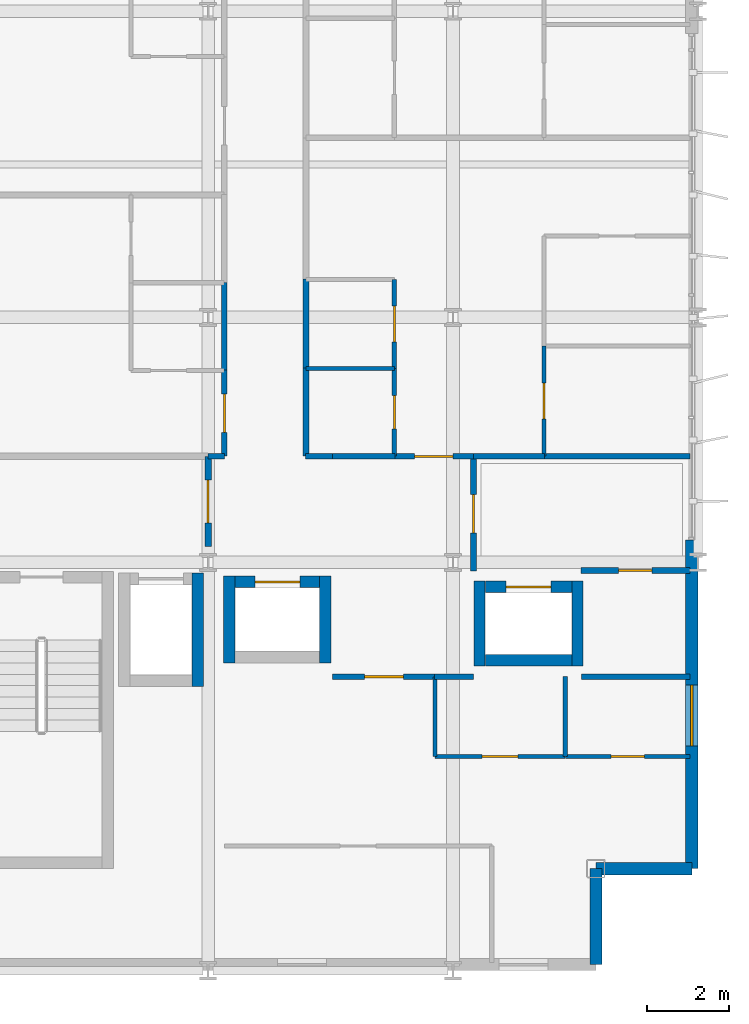
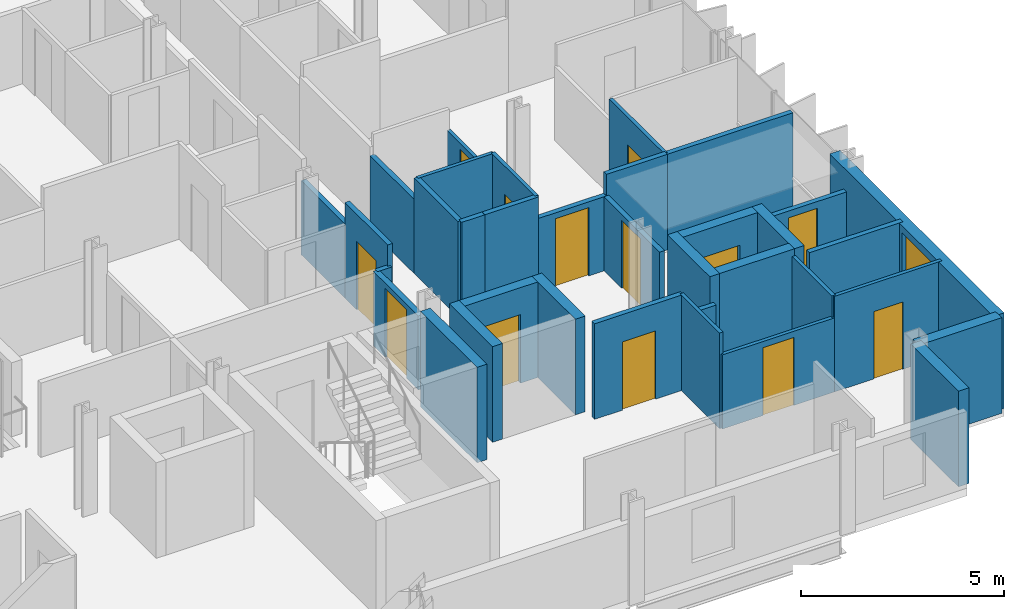
# One storey, part 31 of 39: 35 walls, 13 doors, 1 window, 14 openings.
"""IFC4 building model written with IfcOpenShell, lengths in metres."""

from ifc_helpers import new_model, si_unit, direction, frame, frame_2d, origin, place, context, subcontext, project, spatial, rectangle, extrude, material, layer, layer_set, type_object, element, fill, save


model = new_model("IFC4")

# Units and contexts
model_context = context("Model", 3, precision=1e-05, world=origin(), true_north=direction((0.0, 1.0)))
body_context = subcontext(model_context, "Body", "Model", "MODEL_VIEW")
ifc_project = project(units=[si_unit("LENGTHUNIT", "METRE"), si_unit("AREAUNIT", "SQUARE_METRE"), si_unit("VOLUMEUNIT", "CUBIC_METRE"), si_unit("PLANEANGLEUNIT", "RADIAN"), si_unit("MASSUNIT", "GRAM", prefix="KILO")], contexts=[model_context])

# Site, building, storey
site_placement = place(None, origin())
site = spatial("IfcSite", under=ifc_project, at=site_placement, CompositionType="ELEMENT")
building_placement = place(site_placement, origin())
building = spatial("IfcBuilding", under=site, at=building_placement, Name="Brevholm Reach", CompositionType="ELEMENT")
storey_placement = place(building_placement, frame((0.0, 0.0, 90.0)))
storey = spatial("IfcBuildingStorey", under=building, at=storey_placement, Name="L26", CompositionType="ELEMENT", Elevation=90.0)

# Walls
ifc_material_1 = material(Name="Concrete C50/60", Category="concrete")
ifc_layer_1 = layer(ifc_material_1, 0.280029296875)
ifc_layer_set_1 = layer_set([ifc_layer_1], Name="Concrete C50/60")
wall_type_1 = type_object("IfcWallType", Name="WAL-COR-280", PredefinedType="SHEAR", material=ifc_layer_set_1)
wall_1_placement = place(storey_placement, frame((47.75, 6.9599609375, 0.0), z_axis=(0.0, 0.0, 1.0), x_axis=(0.0, 1.0, 0.0)))
element("IfcWall", 1, at=wall_1_placement, inside=storey, type_object=wall_type_1, Name="L26 Lift FFL-2 Shaft Wall E", PredefinedType="SHEAR", context=body_context, shape_type="SweptSolid", body=[
    extrude(rectangle(XDim=2.780029296875, YDim=0.280029296875, at=frame_2d((1.39013671875, 0.0))), origin(), (0.0, 0.0, 1.0), 2.8701171875),
])
for number, where, z_axis, x_axis, name in (
    (2, (48.52490234375, 7.534912109375, 0.0), (0.0, 0.0, 1.0), (0.0, 1.0, 0.0), "L26 Lift PL-L1 Shaft Wall W"),
    (3, (50.875, 7.534912109375, 0.0), (0.0, 0.0, 1.0), (0.0, 1.0, 0.0), "L26 Lift PL-L1 Shaft Wall E"),
):
    element("IfcWall", number, at=place(storey_placement, frame(where, z_axis=z_axis, x_axis=x_axis)), inside=storey, type_object=wall_type_1, Name=name, PredefinedType="SHEAR", context=body_context, shape_type="SweptSolid", body=[
        extrude(rectangle(XDim=2.130126953125, YDim=0.280029296875, at=frame_2d((1.06494140625, 0.0))), origin(), (0.0, 0.0, 1.0), 2.8701171875),
    ])

# Wall, opening, door
wall_2_placement = place(storey_placement, frame((48.6650390625, 9.52490234375, 0.0), z_axis=(0.0, 0.0, 1.0), x_axis=(1.0, 0.0, 0.0)))
wall_2 = element("IfcWall", 4, at=wall_2_placement, inside=storey, type_object=wall_type_1, Name="L26 Lift PL-L1 Shaft Wall N", PredefinedType="SHEAR", context=body_context, shape_type="SweptSolid", body=[
    extrude(rectangle(XDim=2.070068359375, YDim=0.280029296875, at=frame_2d((1.03515625, 0.0))), origin(), (0.0, 0.0, 1.0), 2.8701171875),
])
opening_1_placement = place(wall_2_placement, frame((0.485107421875, 0.0, 0.0)))
opening_1 = element("IfcOpeningElement", 5, at=opening_1_placement, cuts=wall_2, Name="Opening LD-PL-L1", PredefinedType="OPENING", context=body_context, shape_type="SweptSolid", body=[
    extrude(rectangle(XDim=1.10009765625, YDim=2.06005859375, at=frame_2d((0.550048828125, 1.030029296875))), frame((0.0, 0.14990234375, 0.0), z_axis=(0.0, -1.0, 0.0), x_axis=(1.0, 0.0, 0.0)), (0.0, 0.0, 1.0), 0.300048828125),
])
ifc_material_2 = material(Name="Brushed Stainless Steel Fire-Rated Sliding Lift Door", Category="steel")
door_type_1 = type_object("IfcDoorType", Name="DOR-LFT-1100", OperationType="NOTDEFINED", PredefinedType="DOOR", material=ifc_material_2)
door_1_placement = place(opening_1_placement, origin())
door_1 = element("IfcDoor", 6, at=door_1_placement, inside=storey, type_object=door_type_1, Name="L26 Lift PL-L1 Sliding Landing Door", OperationType="SLIDING_TO_RIGHT", OverallHeight=2.06005859375, OverallWidth=1.10009765625, PredefinedType="DOOR", context=body_context, shape_type="SweptSolid", body=[
    extrude(rectangle(XDim=1.10009765625, YDim=2.06005859375, at=frame_2d((0.550048828125, 1.030029296875))), frame((0.0, 0.02490234375, 0.0), z_axis=(0.0, -1.0, 0.0), x_axis=(1.0, 0.0, 0.0)), (0.0, 0.0, 1.0), 0.050048828125),
])
fill(opening_1, door_1)

# Walls
for number, where, z_axis, x_axis, name in (
    (7, (54.64990234375, 7.4599609375, 0.0), (0.0, 0.0, 1.0), (0.0, 1.0, 0.0), "L26 Lift PL-L2 Shaft Wall W"),
    (8, (57.050048828125, 7.4599609375, 0.0), (0.0, 0.0, 1.0), (0.0, 1.0, 0.0), "L26 Lift PL-L2 Shaft Wall E"),
):
    element("IfcWall", number, at=place(storey_placement, frame(where, z_axis=z_axis, x_axis=x_axis)), inside=storey, type_object=wall_type_1, Name=name, PredefinedType="SHEAR", context=body_context, shape_type="SweptSolid", body=[
        extrude(rectangle(XDim=2.080078125, YDim=0.280029296875, at=frame_2d((1.0400390625, 0.0))), origin(), (0.0, 0.0, 1.0), 2.8701171875),
    ])
wall_3_placement = place(storey_placement, frame((54.7900390625, 7.60009765625, 0.0), z_axis=(0.0, 0.0, 1.0), x_axis=(1.0, 0.0, 0.0)))
element("IfcWall", 9, at=wall_3_placement, inside=storey, type_object=wall_type_1, Name="L26 Lift PL-L2 Shaft Wall S", PredefinedType="SHEAR", context=body_context, shape_type="SweptSolid", body=[
    extrude(rectangle(XDim=2.119873046875, YDim=0.280029296875, at=frame_2d((1.06005859375, 0.0))), origin(), (0.0, 0.0, 1.0), 2.8701171875),
])

# Wall, opening, door
wall_4_placement = place(storey_placement, frame((54.7900390625, 9.39990234375, 0.0), z_axis=(0.0, 0.0, 1.0), x_axis=(1.0, 0.0, 0.0)))
wall_4 = element("IfcWall", 10, at=wall_4_placement, inside=storey, type_object=wall_type_1, Name="L26 Lift PL-L2 Shaft Wall N", PredefinedType="SHEAR", context=body_context, shape_type="SweptSolid", body=[
    extrude(rectangle(XDim=2.119873046875, YDim=0.280029296875, at=frame_2d((1.06005859375, 0.0))), origin(), (0.0, 0.0, 1.0), 2.8701171875),
])
opening_2_placement = place(wall_4_placement, frame((0.510009765625, 0.0, 0.0)))
opening_2 = element("IfcOpeningElement", 11, at=opening_2_placement, cuts=wall_4, Name="Opening LD-PL-L2", PredefinedType="OPENING", context=body_context, shape_type="SweptSolid", body=[
    extrude(rectangle(XDim=1.10009765625, YDim=2.06005859375, at=frame_2d((0.550048828125, 1.030029296875))), frame((0.0, 0.14990234375, 0.0), z_axis=(0.0, -1.0, 0.0), x_axis=(1.0, 0.0, 0.0)), (0.0, 0.0, 1.0), 0.300048828125),
])
door_2_placement = place(opening_2_placement, origin())
door_2 = element("IfcDoor", 12, at=door_2_placement, inside=storey, type_object=door_type_1, Name="L26 Lift PL-L2 Sliding Landing Door", OperationType="SLIDING_TO_LEFT", OverallHeight=2.06005859375, OverallWidth=1.10009765625, PredefinedType="DOOR", context=body_context, shape_type="SweptSolid", body=[
    extrude(rectangle(XDim=1.10009765625, YDim=2.06005859375, at=frame_2d((0.550048828125, 1.030029296875))), frame((0.0, 0.02490234375, 0.0), z_axis=(0.0, -1.0, 0.0), x_axis=(1.0, 0.0, 0.0)), (0.0, 0.0, 1.0), 0.050048828125),
])
fill(opening_2, door_2)

# Walls
ifc_material_3 = material(Name="Concrete C40/50", Category="concrete")
ifc_layer_2 = layer(ifc_material_3, 0.300048828125)
ifc_layer_set_2 = layer_set([ifc_layer_2], Name="Concrete C40/50")
wall_type_2 = type_object("IfcWallType", Name="WAL-EXT-300", PredefinedType="STANDARD", material=ifc_layer_set_2)
for number, where, z_axis, x_axis, name in (
    (13, (57.5, 0.14990234375, 0.0), (0.0, 0.0, 1.0), (0.0, 1.0, 0.0), "L26 Facade Wall WAL-L26-CSE1"),
    (14, (57.5, 2.5, 0.0), (0.0, 0.0, 1.0), (1.0, 0.0, 0.0), "L26 Facade Wall WAL-L26-CSE2"),
):
    element("IfcWall", number, at=place(storey_placement, frame(where, z_axis=z_axis, x_axis=x_axis)), inside=storey, type_object=wall_type_2, Name=name, PredefinedType="STANDARD", context=body_context, shape_type="SweptSolid", body=[
        extrude(rectangle(XDim=2.35009765625, YDim=0.300048828125, at=frame_2d((1.175048828125, 0.0))), origin(), (0.0, 0.0, 1.0), 2.8701171875),
    ])

# Wall, opening, window
wall_5_placement = place(storey_placement, frame((59.85009765625, 2.5, 0.0), z_axis=(0.0, 0.0, 1.0), x_axis=(0.0, 1.0, 0.0)))
wall_5 = element("IfcWall", 15, at=wall_5_placement, inside=storey, type_object=wall_type_2, Name="L26 Facade Wall WAL-L26-E-S", PredefinedType="STANDARD", context=body_context, shape_type="SweptSolid", body=[
    extrude(rectangle(XDim=8.050048828125, YDim=0.300048828125, at=frame_2d((4.02490234375, 0.0))), origin(), (0.0, 0.0, 1.0), 2.8701171875),
])
opening_3_placement = place(wall_5_placement, frame((3.0, 0.0, 0.85009765625)))
opening_3 = element("IfcOpeningElement", 16, at=opening_3_placement, cuts=wall_5, Name="Opening WN-05", PredefinedType="OPENING", context=body_context, shape_type="SweptSolid", body=[
    extrude(rectangle(XDim=1.5, YDim=1.800048828125, at=frame_2d((0.75, 0.89990234375))), frame((0.0, 0.159912109375, 0.0), z_axis=(0.0, -1.0, 0.0), x_axis=(1.0, 0.0, 0.0)), (0.0, 0.0, 1.0), 0.320068359375),
])
ifc_material_4 = material(Name="Dark Anodised Aluminium and Solar-Control IGU Glass", Category="aluminium")
window_type = type_object("IfcWindowType", Name="WIN-RES-1500", PartitioningType="SINGLE_PANEL", PredefinedType="WINDOW", material=ifc_material_4)
window_placement = place(opening_3_placement, origin())
window = element("IfcWindow", 17, at=window_placement, inside=storey, type_object=window_type, Name="L26 Window WIN-L26-ES-1", OverallHeight=1.800048828125, OverallWidth=1.5, PartitioningType="SINGLE_PANEL", PredefinedType="WINDOW", context=body_context, shape_type="SweptSolid", body=[
    extrude(rectangle(XDim=1.5, YDim=1.800048828125, at=frame_2d((0.75, 0.89990234375))), frame((0.0, 0.030029296875, 0.0), z_axis=(0.0, -1.0, 0.0), x_axis=(1.0, 0.0, 0.0)), (0.0, 0.0, 1.0), 0.06005859375),
])
fill(opening_3, window)

# Wall
ifc_material_5 = material(Name="Moisture-Resistant Acoustic Gypsum Stud Partition 100 mm", Category="gypsum")
ifc_layer_3 = layer(ifc_material_5, 0.10009765625)
ifc_layer_set_3 = layer_set([ifc_layer_3], Name="Moisture-Resistant Acoustic Gypsum Stud Partition 100 mm")
wall_type_3 = type_object("IfcWallType", Name="WAL-PRT-100", PredefinedType="PARTITIONING", material=ifc_layer_set_3)
wall_6_placement = place(storey_placement, frame((56.75, 5.25, 0.0), z_axis=(0.0, 0.0, 1.0), x_axis=(0.0, 1.0, 0.0)))
element("IfcWall", 18, at=wall_6_placement, inside=storey, type_object=wall_type_3, Name="L26 Internal Partition 084", PredefinedType="PARTITIONING", context=body_context, shape_type="SweptSolid", body=[
    extrude(rectangle(XDim=1.949951171875, YDim=0.10009765625, at=frame_2d((0.97509765625, 0.0))), origin(), (0.0, 0.0, 1.0), 2.8701171875),
])

# Wall, opening, door
wall_7_placement = place(storey_placement, frame((56.75, 5.25, 0.0), z_axis=(0.0, 0.0, 1.0), x_axis=(1.0, 0.0, 0.0)))
wall_7 = element("IfcWall", 19, at=wall_7_placement, inside=storey, type_object=wall_type_3, Name="L26 Internal Partition 085", PredefinedType="PARTITIONING", context=body_context, shape_type="SweptSolid", body=[
    extrude(rectangle(XDim=3.050048828125, YDim=0.10009765625, at=frame_2d((1.52490234375, 0.0))), origin(), (0.0, 0.0, 1.0), 2.8701171875),
])
opening_4_placement = place(wall_7_placement, frame((1.114990234375, 0.0, 0.0)))
opening_4 = element("IfcOpeningElement", 20, at=opening_4_placement, cuts=wall_7, Name="Opening ID-03", PredefinedType="OPENING", context=body_context, shape_type="SweptSolid", body=[
    extrude(rectangle(XDim=0.820068359375, YDim=2.02001953125, at=frame_2d((0.41015625, 1.010009765625))), frame((0.0, 0.06005859375, 0.0), z_axis=(0.0, -1.0, 0.0), x_axis=(1.0, 0.0, 0.0)), (0.0, 0.0, 1.0), 0.1201171875),
])
ifc_material_6 = material(Name="Moisture-Resistant Painted Timber Internal Bathroom Door", Category="wood")
door_type_2 = type_object("IfcDoorType", Name="DOR-BATH-820", OperationType="NOTDEFINED", PredefinedType="DOOR", material=ifc_material_6)
door_3_placement = place(opening_4_placement, origin())
door_3 = element("IfcDoor", 21, at=door_3_placement, inside=storey, type_object=door_type_2, Name="L26 Internal Door 030", OperationType="SINGLE_SWING_RIGHT", OverallHeight=2.02001953125, OverallWidth=0.820068359375, PredefinedType="DOOR", context=body_context, shape_type="SweptSolid", body=[
    extrude(rectangle(XDim=0.820068359375, YDim=2.02001953125, at=frame_2d((0.41015625, 1.010009765625))), frame((0.0, 0.02490234375, 0.0), z_axis=(0.0, -1.0, 0.0), x_axis=(1.0, 0.0, 0.0)), (0.0, 0.0, 1.0), 0.050048828125),
])
fill(opening_4, door_3)

wall_8_placement = place(storey_placement, frame((53.55810546875, 5.25, 0.0), z_axis=(0.0, 0.0, 1.0), x_axis=(1.0, 0.0, 0.0)))
wall_8 = element("IfcWall", 22, at=wall_8_placement, inside=storey, type_object=wall_type_3, Name="L26 Internal Partition 086", PredefinedType="PARTITIONING", context=body_context, shape_type="SweptSolid", body=[
    extrude(rectangle(XDim=3.18798828125, YDim=0.10009765625, at=frame_2d((1.593994140625, 0.0))), origin(), (0.0, 0.0, 1.0), 2.224853515625),
])
opening_5_placement = place(wall_8_placement, frame((1.154052734375, 0.0, 0.0)))
opening_5 = element("IfcOpeningElement", 23, at=opening_5_placement, cuts=wall_8, Name="Opening ID-01", PredefinedType="OPENING", context=body_context, shape_type="SweptSolid", body=[
    extrude(rectangle(XDim=0.8798828125, YDim=2.0400390625, at=frame_2d((0.43994140625, 1.02001953125))), frame((0.0, 0.06005859375, 0.0), z_axis=(0.0, -1.0, 0.0), x_axis=(1.0, 0.0, 0.0)), (0.0, 0.0, 1.0), 0.1201171875),
])
ifc_material_7 = material(Name="Lacquered Ash Solid-Core Acoustic Internal Door", Category="timber")
door_type_3 = type_object("IfcDoorType", Name="DOR-INT-880", OperationType="NOTDEFINED", PredefinedType="DOOR", material=ifc_material_7)
door_4_placement = place(opening_5_placement, origin())
door_4 = element("IfcDoor", 24, at=door_4_placement, inside=storey, type_object=door_type_3, Name="L26 Internal Door 031", OperationType="SINGLE_SWING_LEFT", OverallHeight=2.0400390625, OverallWidth=0.8798828125, PredefinedType="DOOR", context=body_context, shape_type="SweptSolid", body=[
    extrude(rectangle(XDim=0.8798828125, YDim=2.0400390625, at=frame_2d((0.43994140625, 1.02001953125))), frame((0.0, 0.02490234375, 0.0), z_axis=(0.0, -1.0, 0.0), x_axis=(1.0, 0.0, 0.0)), (0.0, 0.0, 1.0), 0.050048828125),
])
fill(opening_5, door_4)

# Walls
wall_9_placement = place(storey_placement, frame((53.55810546875, 5.25, 0.0), z_axis=(0.0, 0.0, 1.0), x_axis=(0.0, 1.0, 0.0)))
element("IfcWall", 25, at=wall_9_placement, inside=storey, type_object=wall_type_3, Name="L26 Internal Partition 087", PredefinedType="PARTITIONING", context=body_context, shape_type="SweptSolid", body=[
    extrude(rectangle(XDim=1.946044921875, YDim=0.10009765625, at=frame_2d((0.97314453125, 0.0))), origin(), (0.0, 0.0, 1.0), 2.8701171875),
])
wall_10_placement = place(storey_placement, frame((50.404052734375, 14.75, 0.0), z_axis=(0.0, 0.0, 1.0), x_axis=(1.0, 0.0, 0.0)))
element("IfcWall", 26, at=wall_10_placement, inside=storey, type_object=wall_type_3, Name="L26 Internal Partition 145", PredefinedType="PARTITIONING", context=body_context, shape_type="SweptSolid", body=[
    extrude(rectangle(XDim=2.157958984375, YDim=0.10009765625, at=frame_2d((1.0791015625, 0.0))), origin(), (0.0, 0.0, 1.0), 2.8701171875),
])

# Wall, opening, door
wall_11_placement = place(storey_placement, frame((52.56201171875, 12.60400390625, 0.0), z_axis=(0.0, 0.0, 1.0), x_axis=(0.0, 1.0, 0.0)))
wall_11 = element("IfcWall", 27, at=wall_11_placement, inside=storey, type_object=wall_type_3, Name="L26 Internal Partition 146", PredefinedType="PARTITIONING", context=body_context, shape_type="SweptSolid", body=[
    extrude(rectangle(XDim=2.14599609375, YDim=0.10009765625, at=frame_2d((1.072998046875, 0.0))), origin(), (0.0, 0.0, 1.0), 2.8701171875),
])
opening_6_placement = place(wall_11_placement, frame((0.6630859375, 0.0, 0.0)))
opening_6 = element("IfcOpeningElement", 28, at=opening_6_placement, cuts=wall_11, Name="Opening ID-03", PredefinedType="OPENING", context=body_context, shape_type="SweptSolid", body=[
    extrude(rectangle(XDim=0.820068359375, YDim=2.02001953125, at=frame_2d((0.41015625, 1.010009765625))), frame((0.0, 0.06005859375, 0.0), z_axis=(0.0, -1.0, 0.0), x_axis=(1.0, 0.0, 0.0)), (0.0, 0.0, 1.0), 0.1201171875),
])
door_5_placement = place(opening_6_placement, origin())
door_5 = element("IfcDoor", 29, at=door_5_placement, inside=storey, type_object=door_type_2, Name="L26 Internal Door 055", OperationType="SINGLE_SWING_LEFT", OverallHeight=2.02001953125, OverallWidth=0.820068359375, PredefinedType="DOOR", context=body_context, shape_type="SweptSolid", body=[
    extrude(rectangle(XDim=0.820068359375, YDim=2.02001953125, at=frame_2d((0.41015625, 1.010009765625))), frame((0.0, 0.02490234375, 0.0), z_axis=(0.0, -1.0, 0.0), x_axis=(1.0, 0.0, 0.0)), (0.0, 0.0, 1.0), 0.050048828125),
])
fill(opening_6, door_5)

wall_12_placement = place(storey_placement, frame((52.56201171875, 14.75390625, 0.0), z_axis=(0.0, 0.0, 1.0), x_axis=(0.0, 1.0, 0.0)))
wall_12 = element("IfcWall", 30, at=wall_12_placement, inside=storey, type_object=wall_type_3, Name="L26 Internal Partition 147", PredefinedType="PARTITIONING", context=body_context, shape_type="SweptSolid", body=[
    extrude(rectangle(XDim=2.18017578125, YDim=0.10009765625, at=frame_2d((1.090087890625, 0.0))), origin(), (0.0, 0.0, 1.0), 2.224853515625),
])
opening_7_placement = place(wall_12_placement, frame((0.64990234375, 0.0, 0.0)))
opening_7 = element("IfcOpeningElement", 31, at=opening_7_placement, cuts=wall_12, Name="Opening ID-01", PredefinedType="OPENING", context=body_context, shape_type="SweptSolid", body=[
    extrude(rectangle(XDim=0.8798828125, YDim=2.0400390625, at=frame_2d((0.43994140625, 1.02001953125))), frame((0.0, 0.06005859375, 0.0), z_axis=(0.0, -1.0, 0.0), x_axis=(1.0, 0.0, 0.0)), (0.0, 0.0, 1.0), 0.1201171875),
])
door_6_placement = place(opening_7_placement, origin())
door_6 = element("IfcDoor", 32, at=door_6_placement, inside=storey, type_object=door_type_3, Name="L26 Internal Door 056", OperationType="SINGLE_SWING_RIGHT", OverallHeight=2.0400390625, OverallWidth=0.8798828125, PredefinedType="DOOR", context=body_context, shape_type="SweptSolid", body=[
    extrude(rectangle(XDim=0.8798828125, YDim=2.0400390625, at=frame_2d((0.43994140625, 1.02001953125))), frame((0.0, 0.02490234375, 0.0), z_axis=(0.0, -1.0, 0.0), x_axis=(1.0, 0.0, 0.0)), (0.0, 0.0, 1.0), 0.050048828125),
])
fill(opening_7, door_6)

wall_13_placement = place(storey_placement, frame((56.22802734375, 12.60400390625, 0.0), z_axis=(0.0, 0.0, 1.0), x_axis=(0.0, 1.0, 0.0)))
wall_13 = element("IfcWall", 33, at=wall_13_placement, inside=storey, type_object=wall_type_3, Name="L26 Internal Partition 150", PredefinedType="PARTITIONING", context=body_context, shape_type="SweptSolid", body=[
    extrude(rectangle(XDim=2.696044921875, YDim=0.10009765625, at=frame_2d((1.34814453125, 0.0))), origin(), (0.0, 0.0, 1.0), 2.8701171875),
])
opening_8_placement = place(wall_13_placement, frame((0.907958984375, 0.0, 0.0)))
opening_8 = element("IfcOpeningElement", 34, at=opening_8_placement, cuts=wall_13, Name="Opening ID-01", PredefinedType="OPENING", context=body_context, shape_type="SweptSolid", body=[
    extrude(rectangle(XDim=0.8798828125, YDim=2.0400390625, at=frame_2d((0.43994140625, 1.02001953125))), frame((0.0, 0.06005859375, 0.0), z_axis=(0.0, -1.0, 0.0), x_axis=(1.0, 0.0, 0.0)), (0.0, 0.0, 1.0), 0.1201171875),
])
door_7_placement = place(opening_8_placement, origin())
door_7 = element("IfcDoor", 35, at=door_7_placement, inside=storey, type_object=door_type_3, Name="L26 Internal Door 057", OperationType="SINGLE_SWING_LEFT", OverallHeight=2.0400390625, OverallWidth=0.8798828125, PredefinedType="DOOR", context=body_context, shape_type="SweptSolid", body=[
    extrude(rectangle(XDim=0.8798828125, YDim=2.0400390625, at=frame_2d((0.43994140625, 1.02001953125))), frame((0.0, 0.02490234375, 0.0), z_axis=(0.0, -1.0, 0.0), x_axis=(1.0, 0.0, 0.0)), (0.0, 0.0, 1.0), 0.050048828125),
])
fill(opening_8, door_7)

ifc_material_8 = material(Name="Twin-Stud Acoustic Fire-Rated Gypsum Partition 140 mm", Category="gypsum")
ifc_layer_4 = layer(ifc_material_8, 0.139892578125)
ifc_layer_set_4 = layer_set([ifc_layer_4], Name="Twin-Stud Acoustic Fire-Rated Gypsum Partition 140 mm")
wall_type_4 = type_object("IfcWallType", Name="WAL-PRT-140", PredefinedType="PARTITIONING", material=ifc_layer_set_4)
wall_14_placement = place(storey_placement, frame((54.5, 9.788818359375, 0.0), z_axis=(0.0, 0.0, 1.0), x_axis=(0.0, 1.0, 0.0)))
wall_14 = element("IfcWall", 36, at=wall_14_placement, inside=storey, type_object=wall_type_4, Name="L26 Internal Partition 013", PredefinedType="PARTITIONING", context=body_context, shape_type="SweptSolid", body=[
    extrude(rectangle(XDim=2.811279296875, YDim=0.139892578125, at=frame_2d((1.40576171875, 0.0))), origin(), (0.0, 0.0, 1.0), 2.224853515625),
])
opening_9_placement = place(wall_14_placement, frame((0.9306640625, 0.0, 0.0)))
opening_9 = element("IfcOpeningElement", 37, at=opening_9_placement, cuts=wall_14, Name="Opening ID-30", PredefinedType="OPENING", context=body_context, shape_type="SweptSolid", body=[
    extrude(rectangle(XDim=0.949951171875, YDim=2.050048828125, at=frame_2d((0.47509765625, 1.02490234375))), frame((0.0, 0.079833984375, 0.0), z_axis=(0.0, -1.0, 0.0), x_axis=(1.0, 0.0, 0.0)), (0.0, 0.0, 1.0), 0.159912109375),
])
ifc_material_9 = material(Name="European Oak Veneered Solid-Core Fire Entrance Door", Category="timber")
door_type_4 = type_object("IfcDoorType", Name="DOR-FLT-FD30S", OperationType="NOTDEFINED", PredefinedType="DOOR", material=ifc_material_9)
door_8_placement = place(opening_9_placement, origin())
door_8 = element("IfcDoor", 38, at=door_8_placement, inside=storey, type_object=door_type_4, Name="L26 Internal Door 008", OperationType="SINGLE_SWING_RIGHT", OverallHeight=2.050048828125, OverallWidth=0.949951171875, PredefinedType="DOOR", context=body_context, shape_type="SweptSolid", body=[
    extrude(rectangle(XDim=0.949951171875, YDim=2.050048828125, at=frame_2d((0.47509765625, 1.02490234375))), frame((0.0, 0.02490234375, 0.0), z_axis=(0.0, -1.0, 0.0), x_axis=(1.0, 0.0, 0.0)), (0.0, 0.0, 1.0), 0.050048828125),
])
fill(opening_9, door_8)

# Wall
wall_15_placement = place(storey_placement, frame((53.546630859375, 7.199951171875, 0.0), z_axis=(0.0, 0.0, 1.0), x_axis=(1.0, 0.0, 0.0)))
element("IfcWall", 39, at=wall_15_placement, inside=storey, type_object=wall_type_4, Name="L26 Internal Partition 014", PredefinedType="PARTITIONING", context=body_context, shape_type="SweptSolid", body=[
    extrude(rectangle(XDim=0.953369140625, YDim=0.139892578125, at=frame_2d((0.4765625, 0.0))), origin(), (0.0, 0.0, 1.0), 2.224853515625),
])

# Wall, opening, door
wall_16_placement = place(storey_placement, frame((51.050048828125, 7.199951171875, 0.0), z_axis=(0.0, 0.0, 1.0), x_axis=(1.0, 0.0, 0.0)))
wall_16 = element("IfcWall", 40, at=wall_16_placement, inside=storey, type_object=wall_type_4, Name="L26 Internal Partition 015", PredefinedType="PARTITIONING", context=body_context, shape_type="SweptSolid", body=[
    extrude(rectangle(XDim=2.51513671875, YDim=0.139892578125, at=frame_2d((1.257568359375, 0.0))), origin(), (0.0, 0.0, 1.0), 2.8701171875),
])
opening_10_placement = place(wall_16_placement, frame((0.78271484375, 0.0, 0.0)))
opening_10 = element("IfcOpeningElement", 41, at=opening_10_placement, cuts=wall_16, Name="Opening ID-30", PredefinedType="OPENING", context=body_context, shape_type="SweptSolid", body=[
    extrude(rectangle(XDim=0.949951171875, YDim=2.050048828125, at=frame_2d((0.47509765625, 1.02490234375))), frame((0.0, 0.079833984375, 0.0), z_axis=(0.0, -1.0, 0.0), x_axis=(1.0, 0.0, 0.0)), (0.0, 0.0, 1.0), 0.159912109375),
])
door_9_placement = place(opening_10_placement, origin())
door_9 = element("IfcDoor", 42, at=door_9_placement, inside=storey, type_object=door_type_4, Name="L26 Internal Door 009", OperationType="SINGLE_SWING_LEFT", OverallHeight=2.050048828125, OverallWidth=0.949951171875, PredefinedType="DOOR", context=body_context, shape_type="SweptSolid", body=[
    extrude(rectangle(XDim=0.949951171875, YDim=2.050048828125, at=frame_2d((0.47509765625, 1.02490234375))), frame((0.0, 0.02490234375, 0.0), z_axis=(0.0, -1.0, 0.0), x_axis=(1.0, 0.0, 0.0)), (0.0, 0.0, 1.0), 0.050048828125),
])
fill(opening_10, door_9)

# Wall
wall_17_placement = place(storey_placement, frame((51.050048828125, 12.60009765625, 0.0), z_axis=(0.0, 0.0, 1.0), x_axis=(1.0, 0.0, 0.0)))
element("IfcWall", 43, at=wall_17_placement, inside=storey, type_object=wall_type_4, Name="L26 Internal Partition 016", PredefinedType="PARTITIONING", context=body_context, shape_type="SweptSolid", body=[
    extrude(rectangle(XDim=1.523193359375, YDim=0.139892578125, at=frame_2d((0.76171875, 0.0))), origin(), (0.0, 0.0, 1.0), 2.8701171875),
])

# Wall, opening, door
wall_18_placement = place(storey_placement, frame((52.5546875, 12.60009765625, 0.0), z_axis=(0.0, 0.0, 1.0), x_axis=(1.0, 0.0, 0.0)))
wall_18 = element("IfcWall", 44, at=wall_18_placement, inside=storey, type_object=wall_type_4, Name="L26 Internal Partition 017", PredefinedType="PARTITIONING", context=body_context, shape_type="SweptSolid", body=[
    extrude(rectangle(XDim=1.9453125, YDim=0.139892578125, at=frame_2d((0.97265625, 0.0))), origin(), (0.0, 0.0, 1.0), 2.224853515625),
])
opening_11_placement = place(wall_18_placement, frame((0.497802734375, 0.0, 0.0)))
opening_11 = element("IfcOpeningElement", 45, at=opening_11_placement, cuts=wall_18, Name="Opening ID-30", PredefinedType="OPENING", context=body_context, shape_type="SweptSolid", body=[
    extrude(rectangle(XDim=0.949951171875, YDim=2.050048828125, at=frame_2d((0.47509765625, 1.02490234375))), frame((0.0, 0.079833984375, 0.0), z_axis=(0.0, -1.0, 0.0), x_axis=(1.0, 0.0, 0.0)), (0.0, 0.0, 1.0), 0.159912109375),
])
door_10_placement = place(opening_11_placement, origin())
door_10 = element("IfcDoor", 46, at=door_10_placement, inside=storey, type_object=door_type_4, Name="L26 Internal Door 010", OperationType="SINGLE_SWING_RIGHT", OverallHeight=2.050048828125, OverallWidth=0.949951171875, PredefinedType="DOOR", context=body_context, shape_type="SweptSolid", body=[
    extrude(rectangle(XDim=0.949951171875, YDim=2.050048828125, at=frame_2d((0.47509765625, 1.02490234375))), frame((0.0, 0.02490234375, 0.0), z_axis=(0.0, -1.0, 0.0), x_axis=(1.0, 0.0, 0.0)), (0.0, 0.0, 1.0), 0.050048828125),
])
fill(opening_11, door_10)

# Walls
wall_19_placement = place(storey_placement, frame((48.00390625, 12.60009765625, 0.0), z_axis=(0.0, 0.0, 1.0), x_axis=(1.0, 0.0, 0.0)))
element("IfcWall", 47, at=wall_19_placement, inside=storey, type_object=wall_type_4, Name="L26 Internal Partition 033", PredefinedType="PARTITIONING", context=body_context, shape_type="SweptSolid", body=[
    extrude(rectangle(XDim=0.4033203125, YDim=0.139892578125, at=frame_2d((0.20166015625, 0.0))), origin(), (0.0, 0.0, 1.0), 2.224853515625),
])
wall_20_placement = place(storey_placement, frame((50.392578125, 12.60009765625, 0.0), z_axis=(0.0, 0.0, 1.0), x_axis=(1.0, 0.0, 0.0)))
element("IfcWall", 48, at=wall_20_placement, inside=storey, type_object=wall_type_4, Name="L26 Internal Partition 034", PredefinedType="PARTITIONING", context=body_context, shape_type="SweptSolid", body=[
    extrude(rectangle(XDim=0.6533203125, YDim=0.139892578125, at=frame_2d((0.32666015625, 0.0))), origin(), (0.0, 0.0, 1.0), 2.8701171875),
])
wall_21_placement = place(storey_placement, frame((48.39990234375, 14.688720703125, 0.0), z_axis=(0.0, 0.0, 1.0), x_axis=(0.0, 1.0, 0.0)))
element("IfcWall", 49, at=wall_21_placement, inside=storey, type_object=wall_type_4, Name="L26 Internal Partition 051", PredefinedType="PARTITIONING", context=body_context, shape_type="SweptSolid", body=[
    extrude(rectangle(XDim=2.168701171875, YDim=0.139892578125, at=frame_2d((1.08447265625, 0.0))), origin(), (0.0, 0.0, 1.0), 2.224853515625),
])

# Wall, opening, door
wall_22_placement = place(storey_placement, frame((48.39990234375, 12.60400390625, 0.0), z_axis=(0.0, 0.0, 1.0), x_axis=(0.0, 1.0, 0.0)))
wall_22 = element("IfcWall", 50, at=wall_22_placement, inside=storey, type_object=wall_type_4, Name="L26 Internal Partition 052", PredefinedType="PARTITIONING", context=body_context, shape_type="SweptSolid", body=[
    extrude(rectangle(XDim=2.103271484375, YDim=0.139892578125, at=frame_2d((1.0517578125, 0.0))), origin(), (0.0, 0.0, 1.0), 2.8701171875),
])
opening_12_placement = place(wall_22_placement, frame((0.57666015625, 0.0, 0.0)))
opening_12 = element("IfcOpeningElement", 51, at=opening_12_placement, cuts=wall_22, Name="Opening ID-30", PredefinedType="OPENING", context=body_context, shape_type="SweptSolid", body=[
    extrude(rectangle(XDim=0.949951171875, YDim=2.050048828125, at=frame_2d((0.47509765625, 1.02490234375))), frame((0.0, 0.079833984375, 0.0), z_axis=(0.0, -1.0, 0.0), x_axis=(1.0, 0.0, 0.0)), (0.0, 0.0, 1.0), 0.159912109375),
])
door_11_placement = place(opening_12_placement, origin())
door_11 = element("IfcDoor", 52, at=door_11_placement, inside=storey, type_object=door_type_4, Name="L26 Internal Door 022", OperationType="SINGLE_SWING_RIGHT", OverallHeight=2.050048828125, OverallWidth=0.949951171875, PredefinedType="DOOR", context=body_context, shape_type="SweptSolid", body=[
    extrude(rectangle(XDim=0.949951171875, YDim=2.050048828125, at=frame_2d((0.47509765625, 1.02490234375))), frame((0.0, 0.02490234375, 0.0), z_axis=(0.0, -1.0, 0.0), x_axis=(1.0, 0.0, 0.0)), (0.0, 0.0, 1.0), 0.050048828125),
])
fill(opening_12, door_11)

# Walls
wall_23_placement = place(storey_placement, frame((50.39990234375, 12.60400390625, 0.0), z_axis=(0.0, 0.0, 1.0), x_axis=(0.0, 1.0, 0.0)))
element("IfcWall", 53, at=wall_23_placement, inside=storey, type_object=wall_type_4, Name="L26 Internal Partition 056", PredefinedType="PARTITIONING", context=body_context, shape_type="SweptSolid", body=[
    extrude(rectangle(XDim=2.1572265625, YDim=0.139892578125, at=frame_2d((1.07861328125, 0.0))), origin(), (0.0, 0.0, 1.0), 2.8701171875),
])
wall_24_placement = place(storey_placement, frame((50.39990234375, 14.74267578125, 0.0), z_axis=(0.0, 0.0, 1.0), x_axis=(0.0, 1.0, 0.0)))
element("IfcWall", 54, at=wall_24_placement, inside=storey, type_object=wall_type_4, Name="L26 Internal Partition 057", PredefinedType="PARTITIONING", context=body_context, shape_type="SweptSolid", body=[
    extrude(rectangle(XDim=2.20263671875, YDim=0.139892578125, at=frame_2d((1.101318359375, 0.0))), origin(), (0.0, 0.0, 1.0), 2.224853515625),
])

# Wall, opening, door
wall_25_placement = place(storey_placement, frame((57.138671875, 9.800048828125, 0.0), z_axis=(0.0, 0.0, 1.0), x_axis=(1.0, 0.0, 0.0)))
wall_25 = element("IfcWall", 55, at=wall_25_placement, inside=storey, type_object=wall_type_4, Name="L26 Internal Partition 080", PredefinedType="PARTITIONING", context=body_context, shape_type="SweptSolid", body=[
    extrude(rectangle(XDim=2.661376953125, YDim=0.139892578125, at=frame_2d((1.33056640625, 0.0))), origin(), (0.0, 0.0, 1.0), 2.224853515625),
])
opening_13_placement = place(wall_25_placement, frame((0.920654296875, 0.0, 0.0)))
opening_13 = element("IfcOpeningElement", 56, at=opening_13_placement, cuts=wall_25, Name="Opening ID-02", PredefinedType="OPENING", context=body_context, shape_type="SweptSolid", body=[
    extrude(rectangle(XDim=0.820068359375, YDim=2.02001953125, at=frame_2d((0.41015625, 1.010009765625))), frame((0.0, 0.079833984375, 0.0), z_axis=(0.0, -1.0, 0.0), x_axis=(1.0, 0.0, 0.0)), (0.0, 0.0, 1.0), 0.159912109375),
])
ifc_material_10 = material(Name="Moisture-Resistant Painted Timber Fire-Rated Riser and Service Door", Category="wood")
door_type_5 = type_object("IfcDoorType", Name="DOR-SRV-820", OperationType="NOTDEFINED", PredefinedType="DOOR", material=ifc_material_10)
door_12_placement = place(opening_13_placement, origin())
door_12 = element("IfcDoor", 57, at=door_12_placement, inside=storey, type_object=door_type_5, Name="L26 Access Door 063", OperationType="SINGLE_SWING_LEFT", OverallHeight=2.02001953125, OverallWidth=0.820068359375, PredefinedType="DOOR", context=body_context, shape_type="SweptSolid", body=[
    extrude(rectangle(XDim=0.820068359375, YDim=2.02001953125, at=frame_2d((0.41015625, 1.010009765625))), frame((0.0, 0.02490234375, 0.0), z_axis=(0.0, -1.0, 0.0), x_axis=(1.0, 0.0, 0.0)), (0.0, 0.0, 1.0), 0.050048828125),
])
fill(opening_13, door_12)

# Walls
wall_26_placement = place(storey_placement, frame((56.216796875, 12.60009765625, 0.0), z_axis=(0.0, 0.0, 1.0), x_axis=(1.0, 0.0, 0.0)))
element("IfcWall", 58, at=wall_26_placement, inside=storey, type_object=wall_type_4, Name="L26 Internal Partition 081", PredefinedType="PARTITIONING", context=body_context, shape_type="SweptSolid", body=[
    extrude(rectangle(XDim=3.583251953125, YDim=0.139892578125, at=frame_2d((1.79150390625, 0.0))), origin(), (0.0, 0.0, 1.0), 2.8701171875),
])
wall_27_placement = place(storey_placement, frame((54.50390625, 12.60009765625, 0.0), z_axis=(0.0, 0.0, 1.0), x_axis=(1.0, 0.0, 0.0)))
element("IfcWall", 59, at=wall_27_placement, inside=storey, type_object=wall_type_4, Name="L26 Internal Partition 082", PredefinedType="PARTITIONING", context=body_context, shape_type="SweptSolid", body=[
    extrude(rectangle(XDim=1.7314453125, YDim=0.139892578125, at=frame_2d((0.86572265625, 0.0))), origin(), (0.0, 0.0, 1.0), 2.8701171875),
])
wall_28_placement = place(storey_placement, frame((57.14990234375, 7.199951171875, 0.0), z_axis=(0.0, 0.0, 1.0), x_axis=(1.0, 0.0, 0.0)))
element("IfcWall", 60, at=wall_28_placement, inside=storey, type_object=wall_type_4, Name="L26 Internal Partition 083", PredefinedType="PARTITIONING", context=body_context, shape_type="SweptSolid", body=[
    extrude(rectangle(XDim=2.650146484375, YDim=0.139892578125, at=frame_2d((1.3251953125, 0.0))), origin(), (0.0, 0.0, 1.0), 2.8701171875),
])

# Wall, opening, door
ifc_material_11 = material(Name="Twin-Frame Fire-Rated Gypsum Board and Mineral Wool 160 mm", Category="gypsum")
ifc_layer_5 = layer(ifc_material_11, 0.159912109375)
ifc_layer_set_5 = layer_set([ifc_layer_5], Name="Twin-Frame Fire-Rated Gypsum Board and Mineral Wool 160 mm")
wall_type_5 = type_object("IfcWallType", Name="WAL-PRT-160", PredefinedType="PARTITIONING", material=ifc_layer_set_5)
wall_29_placement = place(storey_placement, frame((48.0, 10.388671875, 0.0), z_axis=(0.0, 0.0, 1.0), x_axis=(0.0, 1.0, 0.0)))
wall_29 = element("IfcWall", 61, at=wall_29_placement, inside=storey, type_object=wall_type_5, Name="L26 Internal Partition 025", PredefinedType="PARTITIONING", context=body_context, shape_type="SweptSolid", body=[
    extrude(rectangle(XDim=2.21142578125, YDim=0.159912109375, at=frame_2d((1.105712890625, 0.0))), origin(), (0.0, 0.0, 1.0), 2.224853515625),
])
opening_14_placement = place(wall_29_placement, frame((0.58056640625, 0.0, 0.0)))
opening_14 = element("IfcOpeningElement", 62, at=opening_14_placement, cuts=wall_29, Name="Opening FD-01", PredefinedType="OPENING", context=body_context, shape_type="SweptSolid", body=[
    extrude(rectangle(XDim=1.050048828125, YDim=2.06005859375, at=frame_2d((0.52490234375, 1.030029296875))), frame((0.0, 0.08984375, 0.0), z_axis=(0.0, -1.0, 0.0), x_axis=(1.0, 0.0, 0.0)), (0.0, 0.0, 1.0), 0.179931640625),
])
ifc_material_12 = material(Name="Hardwood-Lipped Steel-Core Fire and Smoke Door", Category="steel")
door_type_6 = type_object("IfcDoorType", Name="DOR-INT-FD60S", OperationType="NOTDEFINED", PredefinedType="DOOR", material=ifc_material_12)
door_13_placement = place(opening_14_placement, origin())
door_13 = element("IfcDoor", 63, at=door_13_placement, inside=storey, type_object=door_type_6, Name="L26 Internal Door 014", OperationType="SINGLE_SWING_RIGHT", OverallHeight=2.06005859375, OverallWidth=1.050048828125, PredefinedType="DOOR", context=body_context, shape_type="SweptSolid", body=[
    extrude(rectangle(XDim=1.050048828125, YDim=2.06005859375, at=frame_2d((0.52490234375, 1.030029296875))), frame((0.0, 0.02490234375, 0.0), z_axis=(0.0, -1.0, 0.0), x_axis=(1.0, 0.0, 0.0)), (0.0, 0.0, 1.0), 0.050048828125),
])
fill(opening_14, door_13)

save(model, "model.ifc")
